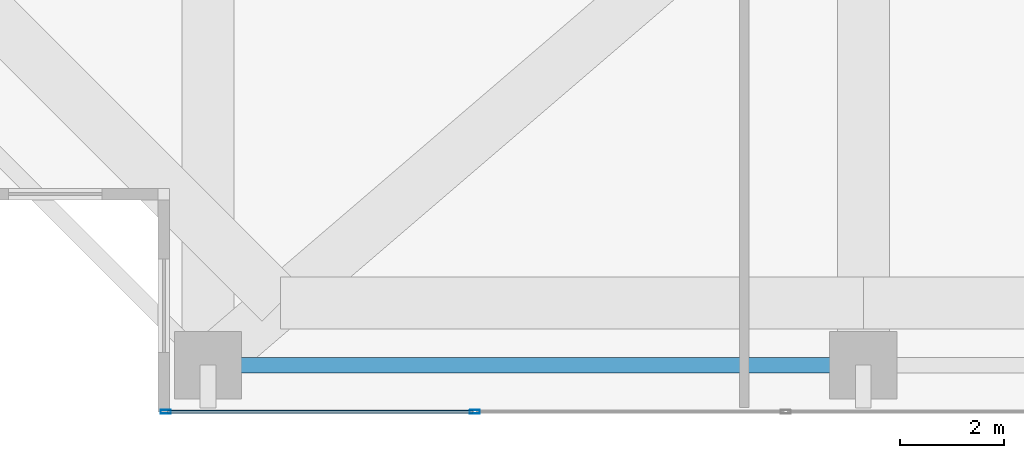
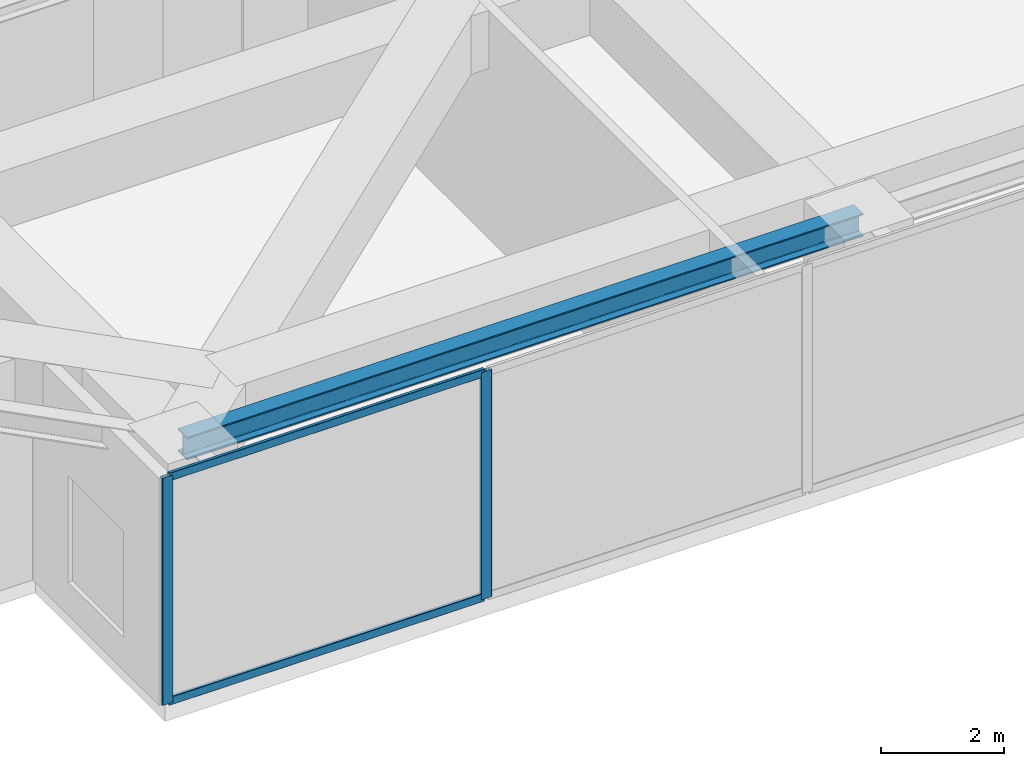
# One storey, part 2 of 35: 4 members, 1 beam, 1 element without a shape of its own.
"""IFC4 building model written with IfcOpenShell, lengths in metres."""

from ifc_helpers import new_model, si_unit, direction, frame, origin, origin_2d, place, context, subcontext, project, spatial, hollow_rectangle, i_section, extrude, source, transform, mapped, material, layer, layer_set, material_profile, profile_set, type_object, element, aggregate, save


model = new_model("IFC4")

# Units and contexts
model_context = context("Model", 3, precision=1e-05, world=origin(), true_north=direction((0.0, 1.0)))
body_context = subcontext(model_context, "Body", "Model", "MODEL_VIEW")
ifc_project = project(units=[si_unit("LENGTHUNIT", "METRE"), si_unit("AREAUNIT", "SQUARE_METRE"), si_unit("VOLUMEUNIT", "CUBIC_METRE"), si_unit("PLANEANGLEUNIT", "RADIAN"), si_unit("MASSUNIT", "GRAM", prefix="KILO")], contexts=[model_context])

# Site, building, storey
site_placement = place(None, origin())
site = spatial("IfcSite", under=ifc_project, at=site_placement, CompositionType="ELEMENT")
building_placement = place(site_placement, origin())
building = spatial("IfcBuilding", under=site, at=building_placement, Name="Serunith Strait Residences", CompositionType="ELEMENT")
storey_placement = place(building_placement, frame((0.0, 0.0, 115.199951171875)))
storey = spatial("IfcBuildingStorey", under=building, at=storey_placement, Name="L28", CompositionType="ELEMENT", Elevation=115.199951171875)

# Beam
ifc_material_1 = material(Name="Steel S355J2", Category="steel")
ifc_material_profile_1 = material_profile(ifc_material_1, i_section(OverallWidth=0.300048828125, OverallDepth=0.449951171875, WebThickness=0.013916015625, FlangeThickness=0.02587890625, FilletRadius=0.027099609375, at=origin_2d()), Name="HEB 450")
ifc_profile_set_1 = profile_set([ifc_material_profile_1], Name="Steel S355J2")
beam_type = type_object("IfcBeamType", Name="BM-HEB450", PredefinedType="BEAM", material=ifc_profile_set_1)
shared_shape_1 = source(origin(), body_context, "Body", "SweptSolid", [
    extrude(i_section(OverallWidth=0.300048828125, OverallDepth=0.449951171875, WebThickness=0.013916015625, FlangeThickness=0.02587890625, FilletRadius=0.027099609375, at=origin_2d()), origin(), (0.0, 0.0, 1.0), 12.64990234375),
])
beam_placement = place(storey_placement, frame((15.25, 1.10009765625, 4.281982421875), z_axis=(1.0, 0.0, 0.0), x_axis=(0.0, 1.0, 0.0)))
element("IfcBeam", 1, at=beam_placement, inside=storey, type_object=beam_type, Name="L28 Perimeter Ring Beam 01", PredefinedType="BEAM", context=body_context, shape_type="MappedRepresentation", body=[
    mapped(shared_shape_1, transform((0.0, 0.0, 0.0), scale=1.0)),
])

# Curtain wall, members
ifc_material_2 = material(Name="Pale-Champagne Anodised Aluminium", Category="aluminium")
ifc_layer = layer(ifc_material_2, 0.199951171875, Name="Pale-Champagne Anodised Aluminium")
ifc_layer_set = layer_set([ifc_layer], Name="Pale-Champagne Anodised Aluminium")
curtain_wall_type = type_object("IfcCurtainWallType", Name="CW-SYS1", PredefinedType="NOTDEFINED", material=ifc_layer_set)
curtain_wall_placement = place(storey_placement, origin())
curtain_wall = element("IfcCurtainWall", 2, at=curtain_wall_placement, inside=storey, type_object=curtain_wall_type, Name="L28 S Unitised Fritted Curtain Wall", PredefinedType="NOTDEFINED")
ifc_material_profile_2 = material_profile(ifc_material_2, hollow_rectangle(XDim=0.06005859375, YDim=0.159912109375, WallThickness=0.00341796875, InnerFilletRadius=0.00537109375, OuterFilletRadius=0.0087890625, at=origin_2d()), Name="ALU 160x60x3.5")
ifc_profile_set_2 = profile_set([ifc_material_profile_2], Name="Pale-Champagne Anodised Aluminium")
member_type_1 = type_object("IfcMemberType", Name="CW-SYS1-TRAN", PredefinedType="USERDEFINED", material=ifc_profile_set_2)
shared_shape_2 = source(origin(), body_context, "Body", "SweptSolid", [
    extrude(hollow_rectangle(XDim=0.06005859375, YDim=0.159912109375, WallThickness=0.00341796875, InnerFilletRadius=0.00537109375, OuterFilletRadius=0.0087890625, at=origin_2d()), origin(), (0.0, 0.0, 1.0), 5.89501953125),
])
member_1_placement = place(storey_placement, frame((14.469970703125, 0.199951171875, 0.030029296875), z_axis=(1.0, 0.0, 0.0), x_axis=(0.0, 1.0, 0.0)))
member_1 = element("IfcMember", 3, at=member_1_placement, type_object=member_type_1, Name="CW-1 transom 1.1", ObjectType="TRANSOM", PredefinedType="USERDEFINED", context=body_context, shape_type="MappedRepresentation", body=[
    mapped(shared_shape_2, transform((0.0, 0.0, 0.0), scale=1.0)),
])
member_2_placement = place(storey_placement, frame((14.469970703125, 0.199951171875, 4.465087890625), z_axis=(1.0, 0.0, 0.0), x_axis=(0.0, 1.0, 0.0)))
member_2 = element("IfcMember", 4, at=member_2_placement, type_object=member_type_1, Name="CW-1 transom 1.2", ObjectType="TRANSOM", PredefinedType="USERDEFINED", context=body_context, shape_type="MappedRepresentation", body=[
    mapped(shared_shape_2, transform((0.0, 0.0, 0.0), scale=1.0)),
])
ifc_material_profile_3 = material_profile(ifc_material_2, hollow_rectangle(XDim=0.070068359375, YDim=0.199951171875, WallThickness=0.00390625, InnerFilletRadius=0.006103515625, OuterFilletRadius=0.010009765625, at=origin_2d()), Name="ALU 200x70x4")
ifc_profile_set_3 = profile_set([ifc_material_profile_3], Name="Pale-Champagne Anodised Aluminium")
member_type_2 = type_object("IfcMemberType", Name="CW-SYS1-MULL", PredefinedType="MULLION", material=ifc_profile_set_3)
shared_shape_3 = source(origin(), body_context, "Body", "SweptSolid", [
    extrude(hollow_rectangle(XDim=0.070068359375, YDim=0.199951171875, WallThickness=0.00390625, InnerFilletRadius=0.006103515625, OuterFilletRadius=0.010009765625, at=origin_2d()), origin(), (0.0, 0.0, 1.0), 4.4951171875),
])
member_3_placement = place(storey_placement, frame((14.43505859375, 0.199951171875, 0.0), z_axis=(0.0, 0.0, 1.0), x_axis=(0.0, 1.0, 0.0)))
member_3 = element("IfcMember", 5, at=member_3_placement, type_object=member_type_2, Name="CW-1 mullion 1", PredefinedType="MULLION", context=body_context, shape_type="MappedRepresentation", body=[
    mapped(shared_shape_3, transform((0.0, 0.0, 0.0), scale=1.0)),
])
member_4_placement = place(storey_placement, frame((20.39990234375, 0.199951171875, 0.0), z_axis=(0.0, 0.0, 1.0), x_axis=(0.0, 1.0, 0.0)))
member_4 = element("IfcMember", 6, at=member_4_placement, type_object=member_type_2, Name="CW-1 mullion 2", PredefinedType="MULLION", context=body_context, shape_type="MappedRepresentation", body=[
    mapped(shared_shape_3, transform((0.0, 0.0, 0.0), scale=1.0)),
])
aggregate(curtain_wall, [member_3, member_4, member_1, member_2])

save(model, "model.ifc")
